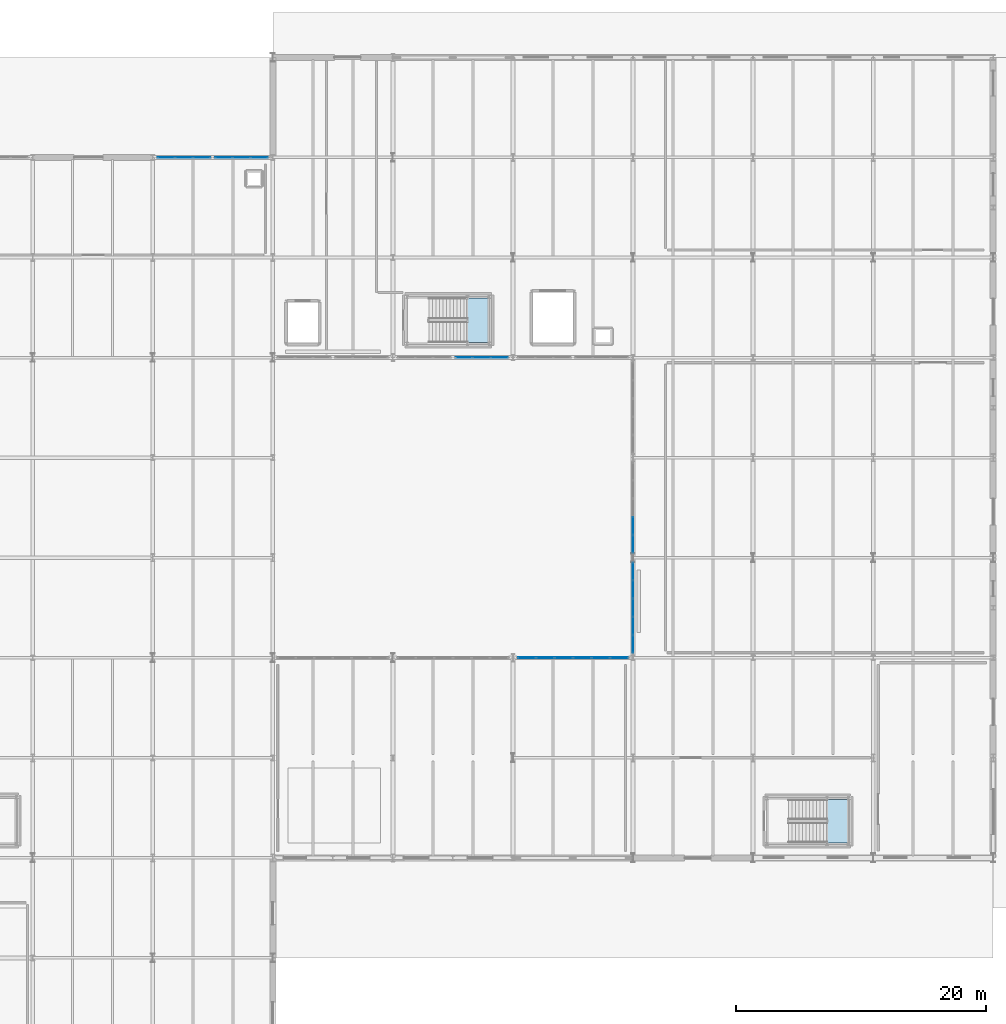
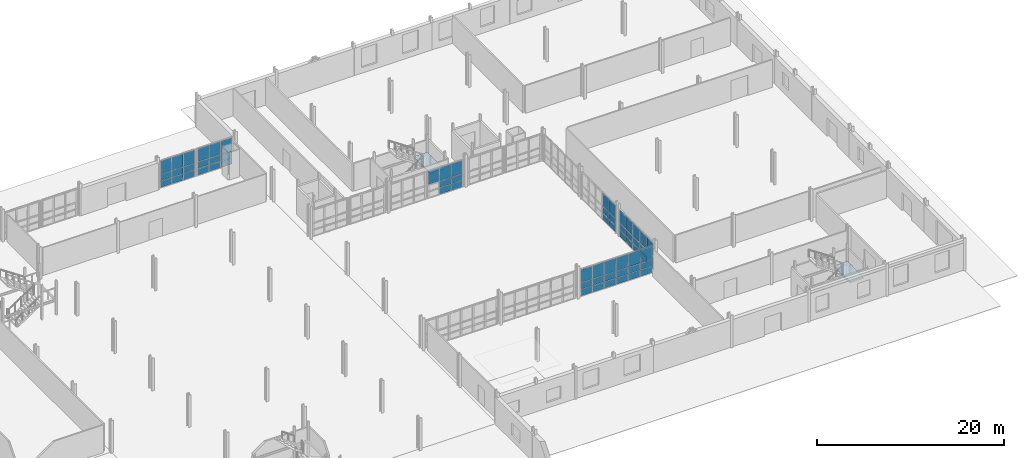
# One storey, part 51 of 78: 64 plates, 2 slabs, 8 elements without a shape of their own.
"""IFC4 building model written with IfcOpenShell, lengths in metres."""

from ifc_helpers import new_model, si_unit, direction, frame, origin, origin_2d, place, context, subcontext, project, spatial, polyline, rectangle, outline, extrude, material, layer, layer_set, type_object, element, aggregate, save


model = new_model("IFC4")

# Units and contexts
model_context = context("Model", 3, precision=1e-05, world=origin(), true_north=direction((0.0, 1.0)))
body_context = subcontext(model_context, "Body", "Model", "MODEL_VIEW")
ifc_project = project(units=[si_unit("LENGTHUNIT", "METRE"), si_unit("AREAUNIT", "SQUARE_METRE"), si_unit("VOLUMEUNIT", "CUBIC_METRE"), si_unit("PLANEANGLEUNIT", "RADIAN"), si_unit("MASSUNIT", "GRAM", prefix="KILO")], contexts=[model_context])

# Site, building, storey
site_placement = place(None, origin())
site = spatial("IfcSite", under=ifc_project, at=site_placement, CompositionType="ELEMENT")
building_placement = place(site_placement, origin())
building = spatial("IfcBuilding", under=site, at=building_placement, Name="Alderhovde Museum", CompositionType="ELEMENT")
storey_placement = place(building_placement, origin())
storey = spatial("IfcBuildingStorey", under=building, at=storey_placement, Name="L00", CompositionType="ELEMENT", Elevation=0.0)

# Curtain wall, plates
ifc_material_1 = material(Name="Triple-Glazed Bronze-Anodised Curtain Wall", Category="glass")
ifc_layer_1 = layer(ifc_material_1, 0.179931640625)
ifc_layer_set_1 = layer_set([ifc_layer_1], Name="Triple-Glazed Bronze-Anodised Curtain Wall")
curtain_wall_type_1 = type_object("IfcCurtainWallType", Name="CW-UNIT-430x356", PredefinedType="USERDEFINED", material=ifc_layer_set_1)
curtain_wall_1_placement = place(storey_placement, origin())
curtain_wall_1 = element("IfcCurtainWall", 1, at=curtain_wall_1_placement, inside=storey, type_object=curtain_wall_type_1, Name="L00 Unitised Curtain Wall 16", ObjectType="UNITISED CURTAIN WALL", PredefinedType="USERDEFINED")
ifc_material_2 = material(Name="Triple-Glazed Low-E Laminated Glass", Category="glass")
ifc_layer_2 = layer(ifc_material_2, 0.028076171875)
ifc_layer_set_2 = layer_set([ifc_layer_2], Name="Triple-Glazed Low-E Laminated Glass")
plate_type_1 = type_object("IfcPlateType", Name="CWP-GLAZ-28", PredefinedType="CURTAIN_PANEL", material=ifc_layer_set_2)
plate_1_placement = place(storey_placement, frame((111.282958984375, 88.0, 0.06494140625), z_axis=(0.0, 0.0, 1.0), x_axis=(1.0, 0.0, 0.0)))
plate_1 = element("IfcPlate", 2, at=plate_1_placement, type_object=plate_type_1, Name="CW07 panel 1.1", PredefinedType="CURTAIN_PANEL", context=body_context, shape_type="SweptSolid", body=[
    extrude(rectangle(XDim=1.3359375, YDim=0.028076171875, at=origin_2d()), origin(), (0.0, 0.0, 1.0), 0.802490234375),
])
plate_2_placement = place(storey_placement, frame((111.282958984375, 88.0, 0.9326171875), z_axis=(0.0, 0.0, 1.0), x_axis=(1.0, 0.0, 0.0)))
plate_2 = element("IfcPlate", 3, at=plate_2_placement, type_object=plate_type_1, Name="CW07 panel 1.2", PredefinedType="CURTAIN_PANEL", context=body_context, shape_type="SweptSolid", body=[
    extrude(rectangle(XDim=1.3359375, YDim=0.028076171875, at=origin_2d()), origin(), (0.0, 0.0, 1.0), 0.81494140625),
])
plate_3_placement = place(storey_placement, frame((111.282958984375, 88.0, 1.8125), z_axis=(0.0, 0.0, 1.0), x_axis=(1.0, 0.0, 0.0)))
plate_3 = element("IfcPlate", 4, at=plate_3_placement, type_object=plate_type_1, Name="CW07 panel 1.3", PredefinedType="CURTAIN_PANEL", context=body_context, shape_type="SweptSolid", body=[
    extrude(rectangle(XDim=1.3359375, YDim=0.028076171875, at=origin_2d()), origin(), (0.0, 0.0, 1.0), 1.6826171875),
])
plate_4_placement = place(storey_placement, frame((112.699951171875, 88.0, 0.06494140625), z_axis=(0.0, 0.0, 1.0), x_axis=(1.0, 0.0, 0.0)))
plate_4 = element("IfcPlate", 5, at=plate_4_placement, type_object=plate_type_1, Name="CW07 panel 2.1", PredefinedType="CURTAIN_PANEL", context=body_context, shape_type="SweptSolid", body=[
    extrude(rectangle(XDim=1.368408203125, YDim=0.028076171875, at=origin_2d()), origin(), (0.0, 0.0, 1.0), 0.802490234375),
])
plate_5_placement = place(storey_placement, frame((112.699951171875, 88.0, 0.9326171875), z_axis=(0.0, 0.0, 1.0), x_axis=(1.0, 0.0, 0.0)))
plate_5 = element("IfcPlate", 6, at=plate_5_placement, type_object=plate_type_1, Name="CW07 panel 2.2", PredefinedType="CURTAIN_PANEL", context=body_context, shape_type="SweptSolid", body=[
    extrude(rectangle(XDim=1.368408203125, YDim=0.028076171875, at=origin_2d()), origin(), (0.0, 0.0, 1.0), 0.81494140625),
])
plate_6_placement = place(storey_placement, frame((112.699951171875, 88.0, 1.8125), z_axis=(0.0, 0.0, 1.0), x_axis=(1.0, 0.0, 0.0)))
plate_6 = element("IfcPlate", 7, at=plate_6_placement, type_object=plate_type_1, Name="CW07 panel 2.3", PredefinedType="CURTAIN_PANEL", context=body_context, shape_type="SweptSolid", body=[
    extrude(rectangle(XDim=1.368408203125, YDim=0.028076171875, at=origin_2d()), origin(), (0.0, 0.0, 1.0), 1.6826171875),
])
plate_7_placement = place(storey_placement, frame((114.1171875, 88.0, 0.06494140625), z_axis=(0.0, 0.0, 1.0), x_axis=(1.0, 0.0, 0.0)))
plate_7 = element("IfcPlate", 8, at=plate_7_placement, type_object=plate_type_1, Name="CW07 panel 3.1", PredefinedType="CURTAIN_PANEL", context=body_context, shape_type="SweptSolid", body=[
    extrude(rectangle(XDim=1.3359375, YDim=0.028076171875, at=origin_2d()), origin(), (0.0, 0.0, 1.0), 0.802490234375),
])
plate_8_placement = place(storey_placement, frame((114.1171875, 88.0, 0.9326171875), z_axis=(0.0, 0.0, 1.0), x_axis=(1.0, 0.0, 0.0)))
plate_8 = element("IfcPlate", 9, at=plate_8_placement, type_object=plate_type_1, Name="CW07 panel 3.2", PredefinedType="CURTAIN_PANEL", context=body_context, shape_type="SweptSolid", body=[
    extrude(rectangle(XDim=1.3359375, YDim=0.028076171875, at=origin_2d()), origin(), (0.0, 0.0, 1.0), 0.81494140625),
])
plate_9_placement = place(storey_placement, frame((114.1171875, 88.0, 1.8125), z_axis=(0.0, 0.0, 1.0), x_axis=(1.0, 0.0, 0.0)))
plate_9 = element("IfcPlate", 10, at=plate_9_placement, type_object=plate_type_1, Name="CW07 panel 3.3", PredefinedType="CURTAIN_PANEL", context=body_context, shape_type="SweptSolid", body=[
    extrude(rectangle(XDim=1.3359375, YDim=0.028076171875, at=origin_2d()), origin(), (0.0, 0.0, 1.0), 1.6826171875),
])
aggregate(curtain_wall_1, [plate_1, plate_2, plate_3, plate_4, plate_5, plate_6, plate_7, plate_8, plate_9])

ifc_material_3 = material(Name="Triple-Glazed Bronze-Anodised Curtain Wall", Category="glass")
ifc_layer_3 = layer(ifc_material_3, 0.179931640625)
ifc_layer_set_3 = layer_set([ifc_layer_3], Name="Triple-Glazed Bronze-Anodised Curtain Wall")
curtain_wall_type_2 = type_object("IfcCurtainWallType", Name="CW-STIC-730x356", PredefinedType="USERDEFINED", material=ifc_layer_set_3)
curtain_wall_2_placement = place(storey_placement, origin())
curtain_wall_2 = element("IfcCurtainWall", 11, at=curtain_wall_2_placement, inside=storey, type_object=curtain_wall_type_2, Name="L00 Stick Curtain Wall 140", ObjectType="STICK CURTAIN WALL", PredefinedType="USERDEFINED")
plate_10_placement = place(storey_placement, frame((144.0, 49.09619140625, 0.06494140625), z_axis=(0.0, 0.0, 1.0), x_axis=(0.0, 1.0, 0.0)))
plate_10 = element("IfcPlate", 12, at=plate_10_placement, type_object=plate_type_1, Name="CW33 panel 1.1", PredefinedType="CURTAIN_PANEL", context=body_context, shape_type="SweptSolid", body=[
    extrude(rectangle(XDim=1.362548828125, YDim=0.028076171875, at=origin_2d()), origin(), (0.0, 0.0, 1.0), 0.802490234375),
])
plate_11_placement = place(storey_placement, frame((144.0, 49.09619140625, 0.9326171875), z_axis=(0.0, 0.0, 1.0), x_axis=(0.0, 1.0, 0.0)))
plate_11 = element("IfcPlate", 13, at=plate_11_placement, type_object=plate_type_1, Name="CW33 panel 1.2", PredefinedType="CURTAIN_PANEL", context=body_context, shape_type="SweptSolid", body=[
    extrude(rectangle(XDim=1.362548828125, YDim=0.028076171875, at=origin_2d()), origin(), (0.0, 0.0, 1.0), 0.81494140625),
])
plate_12_placement = place(storey_placement, frame((144.0, 49.09619140625, 1.8125), z_axis=(0.0, 0.0, 1.0), x_axis=(0.0, 1.0, 0.0)))
plate_12 = element("IfcPlate", 14, at=plate_12_placement, type_object=plate_type_1, Name="CW33 panel 1.3", PredefinedType="CURTAIN_PANEL", context=body_context, shape_type="SweptSolid", body=[
    extrude(rectangle(XDim=1.362548828125, YDim=0.028076171875, at=origin_2d()), origin(), (0.0, 0.0, 1.0), 1.6826171875),
])
plate_13_placement = place(storey_placement, frame((144.0, 50.5400390625, 0.06494140625), z_axis=(0.0, 0.0, 1.0), x_axis=(0.0, 1.0, 0.0)))
plate_13 = element("IfcPlate", 15, at=plate_13_placement, type_object=plate_type_1, Name="CW33 panel 2.1", PredefinedType="CURTAIN_PANEL", context=body_context, shape_type="SweptSolid", body=[
    extrude(rectangle(XDim=1.39501953125, YDim=0.028076171875, at=origin_2d()), origin(), (0.0, 0.0, 1.0), 0.802490234375),
])
plate_14_placement = place(storey_placement, frame((144.0, 50.5400390625, 0.9326171875), z_axis=(0.0, 0.0, 1.0), x_axis=(0.0, 1.0, 0.0)))
plate_14 = element("IfcPlate", 16, at=plate_14_placement, type_object=plate_type_1, Name="CW33 panel 2.2", PredefinedType="CURTAIN_PANEL", context=body_context, shape_type="SweptSolid", body=[
    extrude(rectangle(XDim=1.39501953125, YDim=0.028076171875, at=origin_2d()), origin(), (0.0, 0.0, 1.0), 0.81494140625),
])
plate_15_placement = place(storey_placement, frame((144.0, 50.5400390625, 1.8125), z_axis=(0.0, 0.0, 1.0), x_axis=(0.0, 1.0, 0.0)))
plate_15 = element("IfcPlate", 17, at=plate_15_placement, type_object=plate_type_1, Name="CW33 panel 2.3", PredefinedType="CURTAIN_PANEL", context=body_context, shape_type="SweptSolid", body=[
    extrude(rectangle(XDim=1.39501953125, YDim=0.028076171875, at=origin_2d()), origin(), (0.0, 0.0, 1.0), 1.6826171875),
])
plate_16_placement = place(storey_placement, frame((144.0, 52.0, 0.06494140625), z_axis=(0.0, 0.0, 1.0), x_axis=(0.0, 1.0, 0.0)))
plate_16 = element("IfcPlate", 18, at=plate_16_placement, type_object=plate_type_1, Name="CW33 panel 3.1", PredefinedType="CURTAIN_PANEL", context=body_context, shape_type="SweptSolid", body=[
    extrude(rectangle(XDim=1.39501953125, YDim=0.028076171875, at=origin_2d()), origin(), (0.0, 0.0, 1.0), 0.802490234375),
])
plate_17_placement = place(storey_placement, frame((144.0, 52.0, 0.9326171875), z_axis=(0.0, 0.0, 1.0), x_axis=(0.0, 1.0, 0.0)))
plate_17 = element("IfcPlate", 19, at=plate_17_placement, type_object=plate_type_1, Name="CW33 panel 3.2", PredefinedType="CURTAIN_PANEL", context=body_context, shape_type="SweptSolid", body=[
    extrude(rectangle(XDim=1.39501953125, YDim=0.028076171875, at=origin_2d()), origin(), (0.0, 0.0, 1.0), 0.81494140625),
])
plate_18_placement = place(storey_placement, frame((144.0, 52.0, 1.8125), z_axis=(0.0, 0.0, 1.0), x_axis=(0.0, 1.0, 0.0)))
plate_18 = element("IfcPlate", 20, at=plate_18_placement, type_object=plate_type_1, Name="CW33 panel 3.3", PredefinedType="CURTAIN_PANEL", context=body_context, shape_type="SweptSolid", body=[
    extrude(rectangle(XDim=1.39501953125, YDim=0.028076171875, at=origin_2d()), origin(), (0.0, 0.0, 1.0), 1.6826171875),
])
plate_19_placement = place(storey_placement, frame((144.0, 53.4599609375, 0.06494140625), z_axis=(0.0, 0.0, 1.0), x_axis=(0.0, 1.0, 0.0)))
plate_19 = element("IfcPlate", 21, at=plate_19_placement, type_object=plate_type_1, Name="CW33 panel 4.1", PredefinedType="CURTAIN_PANEL", context=body_context, shape_type="SweptSolid", body=[
    extrude(rectangle(XDim=1.39501953125, YDim=0.028076171875, at=origin_2d()), origin(), (0.0, 0.0, 1.0), 0.802490234375),
])
plate_20_placement = place(storey_placement, frame((144.0, 53.4599609375, 0.9326171875), z_axis=(0.0, 0.0, 1.0), x_axis=(0.0, 1.0, 0.0)))
plate_20 = element("IfcPlate", 22, at=plate_20_placement, type_object=plate_type_1, Name="CW33 panel 4.2", PredefinedType="CURTAIN_PANEL", context=body_context, shape_type="SweptSolid", body=[
    extrude(rectangle(XDim=1.39501953125, YDim=0.028076171875, at=origin_2d()), origin(), (0.0, 0.0, 1.0), 0.81494140625),
])
plate_21_placement = place(storey_placement, frame((144.0, 53.4599609375, 1.8125), z_axis=(0.0, 0.0, 1.0), x_axis=(0.0, 1.0, 0.0)))
plate_21 = element("IfcPlate", 23, at=plate_21_placement, type_object=plate_type_1, Name="CW33 panel 4.3", PredefinedType="CURTAIN_PANEL", context=body_context, shape_type="SweptSolid", body=[
    extrude(rectangle(XDim=1.39501953125, YDim=0.028076171875, at=origin_2d()), origin(), (0.0, 0.0, 1.0), 1.6826171875),
])
plate_22_placement = place(storey_placement, frame((144.0, 54.90380859375, 0.06494140625), z_axis=(0.0, 0.0, 1.0), x_axis=(0.0, 1.0, 0.0)))
plate_22 = element("IfcPlate", 24, at=plate_22_placement, type_object=plate_type_1, Name="CW33 panel 5.1", PredefinedType="CURTAIN_PANEL", context=body_context, shape_type="SweptSolid", body=[
    extrude(rectangle(XDim=1.362548828125, YDim=0.028076171875, at=origin_2d()), origin(), (0.0, 0.0, 1.0), 0.802490234375),
])
plate_23_placement = place(storey_placement, frame((144.0, 54.90380859375, 0.9326171875), z_axis=(0.0, 0.0, 1.0), x_axis=(0.0, 1.0, 0.0)))
plate_23 = element("IfcPlate", 25, at=plate_23_placement, type_object=plate_type_1, Name="CW33 panel 5.2", PredefinedType="CURTAIN_PANEL", context=body_context, shape_type="SweptSolid", body=[
    extrude(rectangle(XDim=1.362548828125, YDim=0.028076171875, at=origin_2d()), origin(), (0.0, 0.0, 1.0), 0.81494140625),
])
plate_24_placement = place(storey_placement, frame((144.0, 54.90380859375, 1.8125), z_axis=(0.0, 0.0, 1.0), x_axis=(0.0, 1.0, 0.0)))
plate_24 = element("IfcPlate", 26, at=plate_24_placement, type_object=plate_type_1, Name="CW33 panel 5.3", PredefinedType="CURTAIN_PANEL", context=body_context, shape_type="SweptSolid", body=[
    extrude(rectangle(XDim=1.362548828125, YDim=0.028076171875, at=origin_2d()), origin(), (0.0, 0.0, 1.0), 1.6826171875),
])
aggregate(curtain_wall_2, [plate_10, plate_11, plate_12, plate_13, plate_14, plate_15, plate_16, plate_17, plate_18, plate_19, plate_20, plate_21, plate_22, plate_23, plate_24])

curtain_wall_3_placement = place(storey_placement, origin())
curtain_wall_3 = element("IfcCurtainWall", 27, at=curtain_wall_3_placement, inside=storey, type_object=curtain_wall_type_2, Name="L00 Stick Curtain Wall 141", ObjectType="STICK CURTAIN WALL", PredefinedType="USERDEFINED")
ifc_material_4 = material(Name="Triple-Glazed Low-E Laminated Glass", Category="glass")
ifc_layer_4 = layer(ifc_material_4, 0.035888671875)
ifc_layer_set_4 = layer_set([ifc_layer_4], Name="Triple-Glazed Low-E Laminated Glass")
plate_type_2 = type_object("IfcPlateType", Name="CWP-GLAZ-36", PredefinedType="CURTAIN_PANEL", material=ifc_layer_set_4)
plate_25_placement = place(storey_placement, frame((144.0, 57.09619140625, 0.06494140625), z_axis=(0.0, 0.0, 1.0), x_axis=(0.0, 1.0, 0.0)))
plate_25 = element("IfcPlate", 28, at=plate_25_placement, type_object=plate_type_2, Name="CW33 panel 1.1", PredefinedType="CURTAIN_PANEL", context=body_context, shape_type="SweptSolid", body=[
    extrude(rectangle(XDim=1.362548828125, YDim=0.035888671875, at=origin_2d()), origin(), (0.0, 0.0, 1.0), 0.802490234375),
])
plate_26_placement = place(storey_placement, frame((144.0, 57.09619140625, 0.9326171875), z_axis=(0.0, 0.0, 1.0), x_axis=(0.0, 1.0, 0.0)))
plate_26 = element("IfcPlate", 29, at=plate_26_placement, type_object=plate_type_2, Name="CW33 panel 1.2", PredefinedType="CURTAIN_PANEL", context=body_context, shape_type="SweptSolid", body=[
    extrude(rectangle(XDim=1.362548828125, YDim=0.035888671875, at=origin_2d()), origin(), (0.0, 0.0, 1.0), 0.81494140625),
])
plate_27_placement = place(storey_placement, frame((144.0, 57.09619140625, 1.8125), z_axis=(0.0, 0.0, 1.0), x_axis=(0.0, 1.0, 0.0)))
plate_27 = element("IfcPlate", 30, at=plate_27_placement, type_object=plate_type_2, Name="CW33 panel 1.3", PredefinedType="CURTAIN_PANEL", context=body_context, shape_type="SweptSolid", body=[
    extrude(rectangle(XDim=1.362548828125, YDim=0.035888671875, at=origin_2d()), origin(), (0.0, 0.0, 1.0), 1.6826171875),
])
plate_28_placement = place(storey_placement, frame((144.0, 58.5400390625, 0.06494140625), z_axis=(0.0, 0.0, 1.0), x_axis=(0.0, 1.0, 0.0)))
plate_28 = element("IfcPlate", 31, at=plate_28_placement, type_object=plate_type_2, Name="CW33 panel 2.1", PredefinedType="CURTAIN_PANEL", context=body_context, shape_type="SweptSolid", body=[
    extrude(rectangle(XDim=1.39501953125, YDim=0.035888671875, at=origin_2d()), origin(), (0.0, 0.0, 1.0), 0.802490234375),
])
plate_29_placement = place(storey_placement, frame((144.0, 58.5400390625, 0.9326171875), z_axis=(0.0, 0.0, 1.0), x_axis=(0.0, 1.0, 0.0)))
plate_29 = element("IfcPlate", 32, at=plate_29_placement, type_object=plate_type_2, Name="CW33 panel 2.2", PredefinedType="CURTAIN_PANEL", context=body_context, shape_type="SweptSolid", body=[
    extrude(rectangle(XDim=1.39501953125, YDim=0.035888671875, at=origin_2d()), origin(), (0.0, 0.0, 1.0), 0.81494140625),
])
plate_30_placement = place(storey_placement, frame((144.0, 58.5400390625, 1.8125), z_axis=(0.0, 0.0, 1.0), x_axis=(0.0, 1.0, 0.0)))
plate_30 = element("IfcPlate", 33, at=plate_30_placement, type_object=plate_type_2, Name="CW33 panel 2.3", PredefinedType="CURTAIN_PANEL", context=body_context, shape_type="SweptSolid", body=[
    extrude(rectangle(XDim=1.39501953125, YDim=0.035888671875, at=origin_2d()), origin(), (0.0, 0.0, 1.0), 1.6826171875),
])
aggregate(curtain_wall_3, [plate_25, plate_26, plate_27, plate_28, plate_29, plate_30])

curtain_wall_4_placement = place(storey_placement, origin())
curtain_wall_4 = element("IfcCurtainWall", 34, at=curtain_wall_4_placement, inside=storey, type_object=curtain_wall_type_1, Name="L00 Unitised Curtain Wall 15", ObjectType="UNITISED CURTAIN WALL", PredefinedType="USERDEFINED")
ifc_material_5 = material(Name="Triple-Glazed Low-E Laminated Glass", Category="glass")
ifc_layer_5 = layer(ifc_material_5, 0.052001953125)
ifc_layer_set_5 = layer_set([ifc_layer_5], Name="Triple-Glazed Low-E Laminated Glass")
plate_type_3 = type_object("IfcPlateType", Name="CWP-GLAZ-52", PredefinedType="CURTAIN_PANEL", material=ifc_layer_set_5)
plate_31_placement = place(storey_placement, frame((106.682861328125, 88.0, 0.06494140625), z_axis=(0.0, 0.0, 1.0), x_axis=(1.0, 0.0, 0.0)))
plate_31 = element("IfcPlate", 35, at=plate_31_placement, type_object=plate_type_3, Name="CW07 panel 1.1", PredefinedType="CURTAIN_PANEL", context=body_context, shape_type="SweptSolid", body=[
    extrude(rectangle(XDim=1.3359375, YDim=0.052001953125, at=origin_2d()), origin(), (0.0, 0.0, 1.0), 0.802490234375),
])
plate_32_placement = place(storey_placement, frame((106.682861328125, 88.0, 0.9326171875), z_axis=(0.0, 0.0, 1.0), x_axis=(1.0, 0.0, 0.0)))
plate_32 = element("IfcPlate", 36, at=plate_32_placement, type_object=plate_type_3, Name="CW07 panel 1.2", PredefinedType="CURTAIN_PANEL", context=body_context, shape_type="SweptSolid", body=[
    extrude(rectangle(XDim=1.3359375, YDim=0.052001953125, at=origin_2d()), origin(), (0.0, 0.0, 1.0), 0.81494140625),
])
plate_33_placement = place(storey_placement, frame((106.682861328125, 88.0, 1.8125), z_axis=(0.0, 0.0, 1.0), x_axis=(1.0, 0.0, 0.0)))
plate_33 = element("IfcPlate", 37, at=plate_33_placement, type_object=plate_type_3, Name="CW07 panel 1.3", PredefinedType="CURTAIN_PANEL", context=body_context, shape_type="SweptSolid", body=[
    extrude(rectangle(XDim=1.3359375, YDim=0.052001953125, at=origin_2d()), origin(), (0.0, 0.0, 1.0), 1.6826171875),
])
plate_34_placement = place(storey_placement, frame((108.10009765625, 88.0, 0.06494140625), z_axis=(0.0, 0.0, 1.0), x_axis=(1.0, 0.0, 0.0)))
plate_34 = element("IfcPlate", 38, at=plate_34_placement, type_object=plate_type_3, Name="CW07 panel 2.1", PredefinedType="CURTAIN_PANEL", context=body_context, shape_type="SweptSolid", body=[
    extrude(rectangle(XDim=1.368408203125, YDim=0.052001953125, at=origin_2d()), origin(), (0.0, 0.0, 1.0), 0.802490234375),
])
plate_35_placement = place(storey_placement, frame((108.10009765625, 88.0, 0.9326171875), z_axis=(0.0, 0.0, 1.0), x_axis=(1.0, 0.0, 0.0)))
plate_35 = element("IfcPlate", 39, at=plate_35_placement, type_object=plate_type_3, Name="CW07 panel 2.2", PredefinedType="CURTAIN_PANEL", context=body_context, shape_type="SweptSolid", body=[
    extrude(rectangle(XDim=1.368408203125, YDim=0.052001953125, at=origin_2d()), origin(), (0.0, 0.0, 1.0), 0.81494140625),
])
plate_36_placement = place(storey_placement, frame((108.10009765625, 88.0, 1.8125), z_axis=(0.0, 0.0, 1.0), x_axis=(1.0, 0.0, 0.0)))
plate_36 = element("IfcPlate", 40, at=plate_36_placement, type_object=plate_type_3, Name="CW07 panel 2.3", PredefinedType="CURTAIN_PANEL", context=body_context, shape_type="SweptSolid", body=[
    extrude(rectangle(XDim=1.368408203125, YDim=0.052001953125, at=origin_2d()), origin(), (0.0, 0.0, 1.0), 1.6826171875),
])
plate_37_placement = place(storey_placement, frame((109.51708984375, 88.0, 0.06494140625), z_axis=(0.0, 0.0, 1.0), x_axis=(1.0, 0.0, 0.0)))
plate_37 = element("IfcPlate", 41, at=plate_37_placement, type_object=plate_type_3, Name="CW07 panel 3.1", PredefinedType="CURTAIN_PANEL", context=body_context, shape_type="SweptSolid", body=[
    extrude(rectangle(XDim=1.3359375, YDim=0.052001953125, at=origin_2d()), origin(), (0.0, 0.0, 1.0), 0.802490234375),
])
plate_38_placement = place(storey_placement, frame((109.51708984375, 88.0, 0.9326171875), z_axis=(0.0, 0.0, 1.0), x_axis=(1.0, 0.0, 0.0)))
plate_38 = element("IfcPlate", 42, at=plate_38_placement, type_object=plate_type_3, Name="CW07 panel 3.2", PredefinedType="CURTAIN_PANEL", context=body_context, shape_type="SweptSolid", body=[
    extrude(rectangle(XDim=1.3359375, YDim=0.052001953125, at=origin_2d()), origin(), (0.0, 0.0, 1.0), 0.81494140625),
])
plate_39_placement = place(storey_placement, frame((109.51708984375, 88.0, 1.8125), z_axis=(0.0, 0.0, 1.0), x_axis=(1.0, 0.0, 0.0)))
plate_39 = element("IfcPlate", 43, at=plate_39_placement, type_object=plate_type_3, Name="CW07 panel 3.3", PredefinedType="CURTAIN_PANEL", context=body_context, shape_type="SweptSolid", body=[
    extrude(rectangle(XDim=1.3359375, YDim=0.052001953125, at=origin_2d()), origin(), (0.0, 0.0, 1.0), 1.6826171875),
])
aggregate(curtain_wall_4, [plate_31, plate_32, plate_33, plate_34, plate_35, plate_36, plate_37, plate_38, plate_39])

ifc_material_6 = material(Name="Triple-Glazed Bronze-Anodised Curtain Wall", Category="glass")
ifc_layer_6 = layer(ifc_material_6, 0.179931640625)
ifc_layer_set_6 = layer_set([ifc_layer_6], Name="Triple-Glazed Bronze-Anodised Curtain Wall")
curtain_wall_type_3 = type_object("IfcCurtainWallType", Name="CW-STIC-430x356", PredefinedType="USERDEFINED", material=ifc_layer_set_6)
curtain_wall_5_placement = place(storey_placement, origin())
curtain_wall_5 = element("IfcCurtainWall", 44, at=curtain_wall_5_placement, inside=storey, type_object=curtain_wall_type_3, Name="L00 Stick Curtain Wall 135", ObjectType="STICK CURTAIN WALL", PredefinedType="USERDEFINED")
plate_40_placement = place(storey_placement, frame((130.48291015625, 72.0, 1.8125), z_axis=(0.0, 0.0, 1.0), x_axis=(1.0, 0.0, 0.0)))
plate_40 = element("IfcPlate", 45, at=plate_40_placement, type_object=plate_type_3, Name="CW31 panel 1.3", PredefinedType="CURTAIN_PANEL", context=body_context, shape_type="SweptSolid", body=[
    extrude(rectangle(XDim=1.3359375, YDim=0.052001953125, at=origin_2d()), origin(), (0.0, 0.0, 1.0), 1.6826171875),
])
plate_41_placement = place(storey_placement, frame((131.89990234375, 72.0, 0.06494140625), z_axis=(0.0, 0.0, 1.0), x_axis=(1.0, 0.0, 0.0)))
plate_41 = element("IfcPlate", 46, at=plate_41_placement, type_object=plate_type_3, Name="CW31 panel 2.1", PredefinedType="CURTAIN_PANEL", context=body_context, shape_type="SweptSolid", body=[
    extrude(rectangle(XDim=1.368408203125, YDim=0.052001953125, at=origin_2d()), origin(), (0.0, 0.0, 1.0), 0.802490234375),
])
plate_42_placement = place(storey_placement, frame((131.89990234375, 72.0, 0.9326171875), z_axis=(0.0, 0.0, 1.0), x_axis=(1.0, 0.0, 0.0)))
plate_42 = element("IfcPlate", 47, at=plate_42_placement, type_object=plate_type_3, Name="CW31 panel 2.2", PredefinedType="CURTAIN_PANEL", context=body_context, shape_type="SweptSolid", body=[
    extrude(rectangle(XDim=1.368408203125, YDim=0.052001953125, at=origin_2d()), origin(), (0.0, 0.0, 1.0), 0.81494140625),
])
plate_43_placement = place(storey_placement, frame((131.89990234375, 72.0, 1.8125), z_axis=(0.0, 0.0, 1.0), x_axis=(1.0, 0.0, 0.0)))
plate_43 = element("IfcPlate", 48, at=plate_43_placement, type_object=plate_type_3, Name="CW31 panel 2.3", PredefinedType="CURTAIN_PANEL", context=body_context, shape_type="SweptSolid", body=[
    extrude(rectangle(XDim=1.368408203125, YDim=0.052001953125, at=origin_2d()), origin(), (0.0, 0.0, 1.0), 1.6826171875),
])
plate_44_placement = place(storey_placement, frame((133.317138671875, 72.0, 0.06494140625), z_axis=(0.0, 0.0, 1.0), x_axis=(1.0, 0.0, 0.0)))
plate_44 = element("IfcPlate", 49, at=plate_44_placement, type_object=plate_type_3, Name="CW31 panel 3.1", PredefinedType="CURTAIN_PANEL", context=body_context, shape_type="SweptSolid", body=[
    extrude(rectangle(XDim=1.3359375, YDim=0.052001953125, at=origin_2d()), origin(), (0.0, 0.0, 1.0), 0.802490234375),
])
plate_45_placement = place(storey_placement, frame((133.317138671875, 72.0, 0.9326171875), z_axis=(0.0, 0.0, 1.0), x_axis=(1.0, 0.0, 0.0)))
plate_45 = element("IfcPlate", 50, at=plate_45_placement, type_object=plate_type_3, Name="CW31 panel 3.2", PredefinedType="CURTAIN_PANEL", context=body_context, shape_type="SweptSolid", body=[
    extrude(rectangle(XDim=1.3359375, YDim=0.052001953125, at=origin_2d()), origin(), (0.0, 0.0, 1.0), 0.81494140625),
])
plate_46_placement = place(storey_placement, frame((133.317138671875, 72.0, 1.8125), z_axis=(0.0, 0.0, 1.0), x_axis=(1.0, 0.0, 0.0)))
plate_46 = element("IfcPlate", 51, at=plate_46_placement, type_object=plate_type_3, Name="CW31 panel 3.3", PredefinedType="CURTAIN_PANEL", context=body_context, shape_type="SweptSolid", body=[
    extrude(rectangle(XDim=1.3359375, YDim=0.052001953125, at=origin_2d()), origin(), (0.0, 0.0, 1.0), 1.6826171875),
])
aggregate(curtain_wall_5, [plate_40, plate_41, plate_42, plate_43, plate_44, plate_45, plate_46])

ifc_material_7 = material(Name="Triple-Glazed Bronze-Anodised Curtain Wall", Category="glass")
ifc_layer_7 = layer(ifc_material_7, 0.179931640625)
ifc_layer_set_7 = layer_set([ifc_layer_7], Name="Triple-Glazed Bronze-Anodised Curtain Wall")
curtain_wall_type_4 = type_object("IfcCurtainWallType", Name="CW-STIC-890x356", PredefinedType="USERDEFINED", material=ifc_layer_set_7)
curtain_wall_6_placement = place(storey_placement, origin())
curtain_wall_6 = element("IfcCurtainWall", 52, at=curtain_wall_6_placement, inside=storey, type_object=curtain_wall_type_4, Name="L00 Stick Curtain Wall 139", ObjectType="STICK CURTAIN WALL", PredefinedType="USERDEFINED")
plate_47_placement = place(storey_placement, frame((135.5078125, 48.0, 0.06494140625), z_axis=(0.0, 0.0, 1.0), x_axis=(1.0, 0.0, 0.0)))
plate_47 = element("IfcPlate", 53, at=plate_47_placement, type_object=plate_type_3, Name="CW32 panel 1.1", PredefinedType="CURTAIN_PANEL", context=body_context, shape_type="SweptSolid", body=[
    extrude(rectangle(XDim=1.3857421875, YDim=0.052001953125, at=origin_2d()), origin(), (0.0, 0.0, 1.0), 0.802490234375),
])
plate_48_placement = place(storey_placement, frame((135.5078125, 48.0, 0.9326171875), z_axis=(0.0, 0.0, 1.0), x_axis=(1.0, 0.0, 0.0)))
plate_48 = element("IfcPlate", 54, at=plate_48_placement, type_object=plate_type_3, Name="CW32 panel 1.2", PredefinedType="CURTAIN_PANEL", context=body_context, shape_type="SweptSolid", body=[
    extrude(rectangle(XDim=1.3857421875, YDim=0.052001953125, at=origin_2d()), origin(), (0.0, 0.0, 1.0), 0.81494140625),
])
plate_49_placement = place(storey_placement, frame((135.5078125, 48.0, 1.8125), z_axis=(0.0, 0.0, 1.0), x_axis=(1.0, 0.0, 0.0)))
plate_49 = element("IfcPlate", 55, at=plate_49_placement, type_object=plate_type_3, Name="CW32 panel 1.3", PredefinedType="CURTAIN_PANEL", context=body_context, shape_type="SweptSolid", body=[
    extrude(rectangle(XDim=1.3857421875, YDim=0.052001953125, at=origin_2d()), origin(), (0.0, 0.0, 1.0), 1.6826171875),
])
plate_50_placement = place(storey_placement, frame((136.97509765625, 48.0, 0.06494140625), z_axis=(0.0, 0.0, 1.0), x_axis=(1.0, 0.0, 0.0)))
plate_50 = element("IfcPlate", 56, at=plate_50_placement, type_object=plate_type_3, Name="CW32 panel 2.1", PredefinedType="CURTAIN_PANEL", context=body_context, shape_type="SweptSolid", body=[
    extrude(rectangle(XDim=1.418212890625, YDim=0.052001953125, at=origin_2d()), origin(), (0.0, 0.0, 1.0), 0.802490234375),
])
plate_51_placement = place(storey_placement, frame((136.97509765625, 48.0, 0.9326171875), z_axis=(0.0, 0.0, 1.0), x_axis=(1.0, 0.0, 0.0)))
plate_51 = element("IfcPlate", 57, at=plate_51_placement, type_object=plate_type_3, Name="CW32 panel 2.2", PredefinedType="CURTAIN_PANEL", context=body_context, shape_type="SweptSolid", body=[
    extrude(rectangle(XDim=1.418212890625, YDim=0.052001953125, at=origin_2d()), origin(), (0.0, 0.0, 1.0), 0.81494140625),
])
plate_52_placement = place(storey_placement, frame((136.97509765625, 48.0, 1.8125), z_axis=(0.0, 0.0, 1.0), x_axis=(1.0, 0.0, 0.0)))
plate_52 = element("IfcPlate", 58, at=plate_52_placement, type_object=plate_type_3, Name="CW32 panel 2.3", PredefinedType="CURTAIN_PANEL", context=body_context, shape_type="SweptSolid", body=[
    extrude(rectangle(XDim=1.418212890625, YDim=0.052001953125, at=origin_2d()), origin(), (0.0, 0.0, 1.0), 1.6826171875),
])
plate_53_placement = place(storey_placement, frame((138.458251953125, 48.0, 0.06494140625), z_axis=(0.0, 0.0, 1.0), x_axis=(1.0, 0.0, 0.0)))
plate_53 = element("IfcPlate", 59, at=plate_53_placement, type_object=plate_type_3, Name="CW32 panel 3.1", PredefinedType="CURTAIN_PANEL", context=body_context, shape_type="SweptSolid", body=[
    extrude(rectangle(XDim=1.418212890625, YDim=0.052001953125, at=origin_2d()), origin(), (0.0, 0.0, 1.0), 0.802490234375),
])
plate_54_placement = place(storey_placement, frame((138.458251953125, 48.0, 0.9326171875), z_axis=(0.0, 0.0, 1.0), x_axis=(1.0, 0.0, 0.0)))
plate_54 = element("IfcPlate", 60, at=plate_54_placement, type_object=plate_type_3, Name="CW32 panel 3.2", PredefinedType="CURTAIN_PANEL", context=body_context, shape_type="SweptSolid", body=[
    extrude(rectangle(XDim=1.418212890625, YDim=0.052001953125, at=origin_2d()), origin(), (0.0, 0.0, 1.0), 0.81494140625),
])
plate_55_placement = place(storey_placement, frame((138.458251953125, 48.0, 1.8125), z_axis=(0.0, 0.0, 1.0), x_axis=(1.0, 0.0, 0.0)))
plate_55 = element("IfcPlate", 61, at=plate_55_placement, type_object=plate_type_3, Name="CW32 panel 3.3", PredefinedType="CURTAIN_PANEL", context=body_context, shape_type="SweptSolid", body=[
    extrude(rectangle(XDim=1.418212890625, YDim=0.052001953125, at=origin_2d()), origin(), (0.0, 0.0, 1.0), 1.6826171875),
])
plate_56_placement = place(storey_placement, frame((139.941650390625, 48.0, 0.06494140625), z_axis=(0.0, 0.0, 1.0), x_axis=(1.0, 0.0, 0.0)))
plate_56 = element("IfcPlate", 62, at=plate_56_placement, type_object=plate_type_3, Name="CW32 panel 4.1", PredefinedType="CURTAIN_PANEL", context=body_context, shape_type="SweptSolid", body=[
    extrude(rectangle(XDim=1.418212890625, YDim=0.052001953125, at=origin_2d()), origin(), (0.0, 0.0, 1.0), 0.802490234375),
])
plate_57_placement = place(storey_placement, frame((139.941650390625, 48.0, 0.9326171875), z_axis=(0.0, 0.0, 1.0), x_axis=(1.0, 0.0, 0.0)))
plate_57 = element("IfcPlate", 63, at=plate_57_placement, type_object=plate_type_3, Name="CW32 panel 4.2", PredefinedType="CURTAIN_PANEL", context=body_context, shape_type="SweptSolid", body=[
    extrude(rectangle(XDim=1.418212890625, YDim=0.052001953125, at=origin_2d()), origin(), (0.0, 0.0, 1.0), 0.81494140625),
])
plate_58_placement = place(storey_placement, frame((139.941650390625, 48.0, 1.8125), z_axis=(0.0, 0.0, 1.0), x_axis=(1.0, 0.0, 0.0)))
plate_58 = element("IfcPlate", 64, at=plate_58_placement, type_object=plate_type_3, Name="CW32 panel 4.3", PredefinedType="CURTAIN_PANEL", context=body_context, shape_type="SweptSolid", body=[
    extrude(rectangle(XDim=1.418212890625, YDim=0.052001953125, at=origin_2d()), origin(), (0.0, 0.0, 1.0), 1.6826171875),
])
plate_59_placement = place(storey_placement, frame((141.425048828125, 48.0, 0.06494140625), z_axis=(0.0, 0.0, 1.0), x_axis=(1.0, 0.0, 0.0)))
plate_59 = element("IfcPlate", 65, at=plate_59_placement, type_object=plate_type_3, Name="CW32 panel 5.1", PredefinedType="CURTAIN_PANEL", context=body_context, shape_type="SweptSolid", body=[
    extrude(rectangle(XDim=1.418212890625, YDim=0.052001953125, at=origin_2d()), origin(), (0.0, 0.0, 1.0), 0.802490234375),
])
plate_60_placement = place(storey_placement, frame((141.425048828125, 48.0, 0.9326171875), z_axis=(0.0, 0.0, 1.0), x_axis=(1.0, 0.0, 0.0)))
plate_60 = element("IfcPlate", 66, at=plate_60_placement, type_object=plate_type_3, Name="CW32 panel 5.2", PredefinedType="CURTAIN_PANEL", context=body_context, shape_type="SweptSolid", body=[
    extrude(rectangle(XDim=1.418212890625, YDim=0.052001953125, at=origin_2d()), origin(), (0.0, 0.0, 1.0), 0.81494140625),
])
plate_61_placement = place(storey_placement, frame((141.425048828125, 48.0, 1.8125), z_axis=(0.0, 0.0, 1.0), x_axis=(1.0, 0.0, 0.0)))
plate_61 = element("IfcPlate", 67, at=plate_61_placement, type_object=plate_type_3, Name="CW32 panel 5.3", PredefinedType="CURTAIN_PANEL", context=body_context, shape_type="SweptSolid", body=[
    extrude(rectangle(XDim=1.418212890625, YDim=0.052001953125, at=origin_2d()), origin(), (0.0, 0.0, 1.0), 1.6826171875),
])
plate_62_placement = place(storey_placement, frame((142.89208984375, 48.0, 0.06494140625), z_axis=(0.0, 0.0, 1.0), x_axis=(1.0, 0.0, 0.0)))
plate_62 = element("IfcPlate", 68, at=plate_62_placement, type_object=plate_type_3, Name="CW32 panel 6.1", PredefinedType="CURTAIN_PANEL", context=body_context, shape_type="SweptSolid", body=[
    extrude(rectangle(XDim=1.3857421875, YDim=0.052001953125, at=origin_2d()), origin(), (0.0, 0.0, 1.0), 0.802490234375),
])
plate_63_placement = place(storey_placement, frame((142.89208984375, 48.0, 0.9326171875), z_axis=(0.0, 0.0, 1.0), x_axis=(1.0, 0.0, 0.0)))
plate_63 = element("IfcPlate", 69, at=plate_63_placement, type_object=plate_type_3, Name="CW32 panel 6.2", PredefinedType="CURTAIN_PANEL", context=body_context, shape_type="SweptSolid", body=[
    extrude(rectangle(XDim=1.3857421875, YDim=0.052001953125, at=origin_2d()), origin(), (0.0, 0.0, 1.0), 0.81494140625),
])
plate_64_placement = place(storey_placement, frame((142.89208984375, 48.0, 1.8125), z_axis=(0.0, 0.0, 1.0), x_axis=(1.0, 0.0, 0.0)))
plate_64 = element("IfcPlate", 70, at=plate_64_placement, type_object=plate_type_3, Name="CW32 panel 6.3", PredefinedType="CURTAIN_PANEL", context=body_context, shape_type="SweptSolid", body=[
    extrude(rectangle(XDim=1.3857421875, YDim=0.052001953125, at=origin_2d()), origin(), (0.0, 0.0, 1.0), 1.6826171875),
])
aggregate(curtain_wall_6, [plate_47, plate_48, plate_49, plate_50, plate_51, plate_52, plate_53, plate_54, plate_55, plate_56, plate_57, plate_58, plate_59, plate_60, plate_61, plate_62, plate_63, plate_64])

# Stair, slab
ifc_material_8 = material(Name="Concrete C35/45", Category="concrete")
stair_type = type_object("IfcStairType", Name="STR-1500-4500", PredefinedType="HALF_TURN_STAIR", material=ifc_material_8)
stair_1_placement = place(storey_placement, origin())
stair_1 = element("IfcStair", 71, at=stair_1_placement, inside=storey, type_object=stair_type, Name="L00 Escape Stair ST4", PredefinedType="HALF_TURN_STAIR")
ifc_material_9 = material(Name="Concrete C35/45", Category="concrete")
ifc_layer_8 = layer(ifc_material_9, 0.199951171875)
ifc_layer_set_8 = layer_set([ifc_layer_8], Name="Concrete C35/45")
slab_type = type_object("IfcSlabType", Name="SLB-LANDING-200", PredefinedType="LANDING", material=ifc_layer_set_8)
slab_1_placement = place(storey_placement, frame((0.0, 0.0, 2.050048828125)))
slab_1 = element("IfcSlab", 72, at=slab_1_placement, type_object=slab_type, Name="ST4 landing 1", PredefinedType="LANDING", context=body_context, shape_type="SweptSolid", body=[
    extrude(outline(polyline([(130.760009765625, 73.199951171875), (132.43994140625, 73.199951171875), (132.43994140625, 76.760009765625), (130.760009765625, 76.760009765625), (130.760009765625, 73.199951171875)])), origin(), (0.0, 0.0, 1.0), 0.199951171875),
])
aggregate(stair_1, [slab_1])

stair_2_placement = place(storey_placement, origin())
stair_2 = element("IfcStair", 73, at=stair_2_placement, inside=storey, type_object=stair_type, Name="L00 East Wing Escape Stair ST7", PredefinedType="HALF_TURN_STAIR")
slab_2_placement = place(storey_placement, frame((0.0, 0.0, 2.050048828125)))
slab_2 = element("IfcSlab", 74, at=slab_2_placement, type_object=slab_type, Name="ST7 landing 1", PredefinedType="LANDING", context=body_context, shape_type="SweptSolid", body=[
    extrude(outline(polyline([(159.52001953125, 33.199951171875), (161.159912109375, 33.199951171875), (161.159912109375, 36.679931640625), (159.52001953125, 36.679931640625), (159.52001953125, 33.199951171875)])), origin(), (0.0, 0.0, 1.0), 0.199951171875),
])
aggregate(stair_2, [slab_2])

save(model, "model.ifc")
